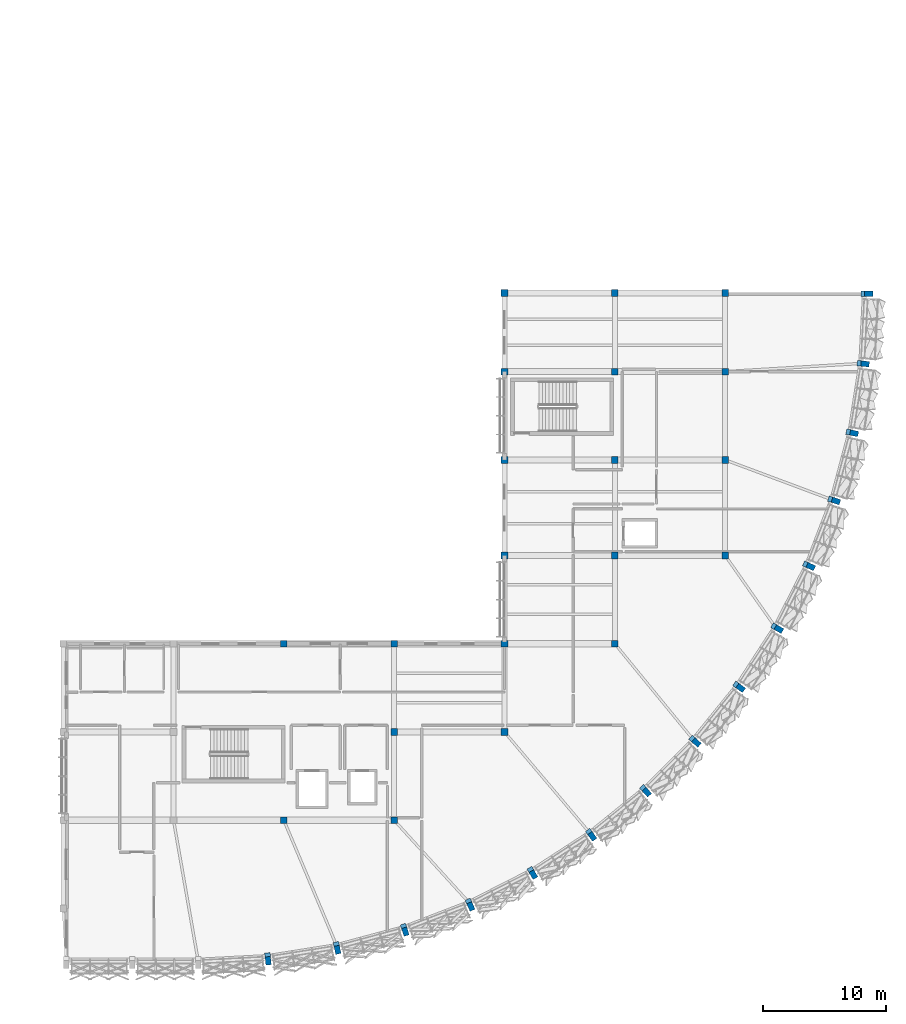
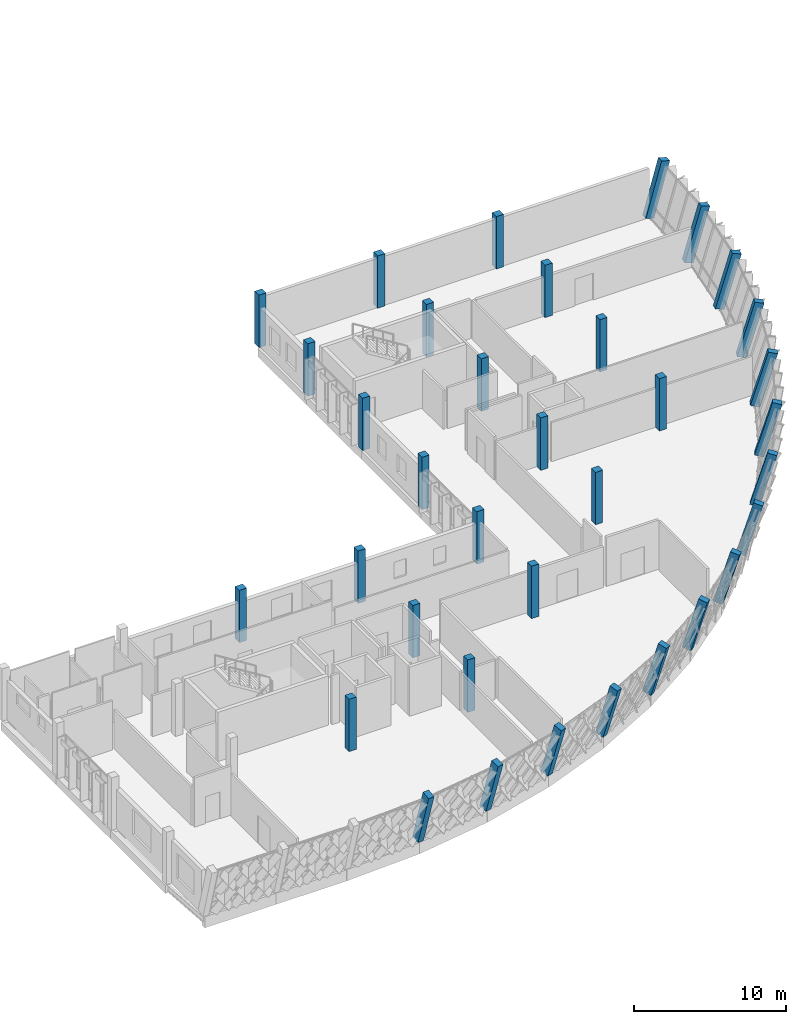
# One storey, part 4 of 94: 35 columns.
"""IFC4 building model written with IfcOpenShell, lengths in metres."""

from ifc_helpers import new_model, si_unit, direction, frame, origin, origin_2d, place, context, subcontext, project, spatial, rectangle, extrude, material, material_profile, profile_set, type_object, element, save


model = new_model("IFC4")

# Units and contexts
model_context = context("Model", 3, precision=1e-05, world=origin(), true_north=direction((0.0, 1.0)))
body_context = subcontext(model_context, "Body", "Model", "MODEL_VIEW")
ifc_project = project(units=[si_unit("LENGTHUNIT", "METRE"), si_unit("AREAUNIT", "SQUARE_METRE"), si_unit("VOLUMEUNIT", "CUBIC_METRE"), si_unit("PLANEANGLEUNIT", "RADIAN"), si_unit("MASSUNIT", "GRAM", prefix="KILO")], contexts=[model_context])

# Site, building, storey
site_placement = place(None, origin())
site = spatial("IfcSite", under=ifc_project, at=site_placement, CompositionType="ELEMENT")
building_placement = place(site_placement, origin())
building = spatial("IfcBuilding", under=site, at=building_placement, Name="Chiffa Square Polytechnic", CompositionType="ELEMENT")
storey_placement = place(building_placement, frame((0.0, 0.0, 18.0)))
storey = spatial("IfcBuildingStorey", under=building, at=storey_placement, Name="L04", CompositionType="ELEMENT", Elevation=18.0)

# Columns
ifc_material_1 = material(Name="Glulam GL32c", Category="wood")
ifc_material_profile_1 = material_profile(ifc_material_1, rectangle(XDim=0.449951171875, YDim=0.64990234375, at=origin_2d()), Name="GL32c 450x650")
ifc_profile_set_1 = profile_set([ifc_material_profile_1], Name="Glulam GL32c")
column_type_1 = type_object("IfcColumnType", Name="COL-RAKED-GL650", PredefinedType="USERDEFINED", material=ifc_profile_set_1)
for number, where, z_axis, x_axis, name in (
    (1, (128.884033203125, 3.27099609375, 0.0), (0.028414203881, -0.270773938952, 0.96222352237), (0.994539172272, 0.104363953628, 0.0), "Outward-leaning glulam column CRK-V1-L04-04"),
    (2, (134.506103515625, 4.160888671875, 0.0), (0.056550787693, -0.266197031285, 0.96225835873), (0.978170864029, 0.207802215494, 0.0), "Outward-leaning glulam column CRK-V1-L04-05"),
):
    element("IfcColumn", number, at=place(storey_placement, frame(where, z_axis=z_axis, x_axis=x_axis)), inside=storey, type_object=column_type_1, Name=name, ObjectType="RAKED COLUMN", PredefinedType="USERDEFINED", context=body_context, shape_type="SweptSolid", body=[
        extrude(rectangle(XDim=0.449951171875, YDim=0.64990234375, at=origin_2d()), origin(), (0.0, 0.0, 1.0), 4.36474609375),
    ])
for number, where, z_axis, x_axis, name in (
    (3, (140.0029296875, 5.634033203125, 0.0), (0.084346573065, -0.258912656974, 0.96221093928), (0.950817981989, 0.30975016566, 0.0), "Outward-leaning glulam column CRK-V1-L04-06"),
    (4, (145.31689453125, 7.674072265625, 0.0), (0.110910429148, -0.248835350115, 0.962174539904), (0.913379267492, 0.407109707223, 0.0), "Outward-leaning glulam column CRK-V1-L04-07"),
    (5, (150.387939453125, 10.258056640625, 0.0), (0.136307345319, -0.235755215641, 0.962205687943), (0.865716753267, 0.500534217725, 0.0), "Outward-leaning glulam column CRK-V1-L04-08"),
):
    element("IfcColumn", number, at=place(storey_placement, frame(where, z_axis=z_axis, x_axis=x_axis)), inside=storey, type_object=column_type_1, Name=name, ObjectType="RAKED COLUMN", PredefinedType="USERDEFINED", context=body_context, shape_type="SweptSolid", body=[
        extrude(rectangle(XDim=0.449951171875, YDim=0.64990234375, at=origin_2d()), origin(), (0.0, 0.0, 1.0), 4.364990234375),
    ])
column_1_placement = place(storey_placement, frame((155.162109375, 13.35791015625, 0.0), z_axis=(0.160138653177, -0.220155689453, 0.962230265664), x_axis=(0.808691658152, 0.588232778783, 0.0)))
element("IfcColumn", 6, at=column_1_placement, inside=storey, type_object=column_type_1, Name="Outward-leaning glulam column CRK-V1-L04-09", ObjectType="RAKED COLUMN", PredefinedType="USERDEFINED", context=body_context, shape_type="SweptSolid", body=[
    extrude(rectangle(XDim=0.449951171875, YDim=0.64990234375, at=origin_2d()), origin(), (0.0, 0.0, 1.0), 4.36474609375),
])
for number, where, z_axis, x_axis, name in (
    (7, (159.5849609375, 16.93994140625, 0.0), (0.18239235814, -0.202303943389, 0.962188205177), (0.742711881488, 0.669611126772, 0.0), "Outward-leaning glulam column CRK-V1-L04-10"),
    (8, (163.610107421875, 20.965087890625, 0.0), (0.202250300158, -0.182394421686, 0.962199091157), (0.669713256977, 0.742619790626, 0.0), "Outward-leaning glulam column CRK-V1-L04-11"),
):
    element("IfcColumn", number, at=place(storey_placement, frame(where, z_axis=z_axis, x_axis=x_axis)), inside=storey, type_object=column_type_1, Name=name, ObjectType="RAKED COLUMN", PredefinedType="USERDEFINED", context=body_context, shape_type="SweptSolid", body=[
        extrude(rectangle(XDim=0.449951171875, YDim=0.64990234375, at=origin_2d()), origin(), (0.0, 0.0, 1.0), 4.364990234375),
    ])
column_2_placement = place(storey_placement, frame((167.19189453125, 25.387939453125, 0.0), z_axis=(0.220208911302, -0.16013668099, 0.962218415322), x_axis=(0.588135053489, 0.808762733351, 0.0)))
element("IfcColumn", 9, at=column_2_placement, inside=storey, type_object=column_type_1, Name="Outward-leaning glulam column CRK-V1-L04-12", ObjectType="RAKED COLUMN", PredefinedType="USERDEFINED", context=body_context, shape_type="SweptSolid", body=[
    extrude(rectangle(XDim=0.449951171875, YDim=0.64990234375, at=origin_2d()), origin(), (0.0, 0.0, 1.0), 4.36474609375),
])
for number, where, z_axis, x_axis, name in (
    (10, (170.2919921875, 30.162109375, 0.0), (0.235753417895, -0.136362237919, 0.962198350664), (0.500688126334, 0.865627749179, 0.0), "Outward-leaning glulam column CRK-V1-L04-13"),
    (11, (172.8759765625, 35.23291015625, 0.0), (0.248784424506, -0.110856728725, 0.962193897206), (0.407014745296, 0.913421587829, 0.0), "Outward-leaning glulam column CRK-V1-L04-14"),
):
    element("IfcColumn", number, at=place(storey_placement, frame(where, z_axis=z_axis, x_axis=x_axis)), inside=storey, type_object=column_type_1, Name=name, ObjectType="RAKED COLUMN", PredefinedType="USERDEFINED", context=body_context, shape_type="SweptSolid", body=[
        extrude(rectangle(XDim=0.449951171875, YDim=0.64990234375, at=origin_2d()), origin(), (0.0, 0.0, 1.0), 4.364990234375),
    ])
for number, where, z_axis, x_axis, name in (
    (12, (174.916015625, 40.547119140625, 0.0), (0.258860472594, -0.084347794441, 0.962224872523), (0.309810671802, 0.950798268634, 0.0), "Outward-leaning glulam column CRK-V1-L04-15"),
    (13, (176.388916015625, 46.0439453125, 0.0), (0.266249001984, -0.056549945589, 0.96224402965), (0.207760444137, 0.978179736987, 0.0), "Outward-leaning glulam column CRK-V1-L04-16"),
    (14, (177.279052734375, 51.666015625, 0.0), (0.270773938952, -0.028414203881, 0.96222352237), (0.104363953628, 0.994539172272, 0.0), "Outward-leaning glulam column CRK-V1-L04-17"),
    (15, (177.576904296875, 57.35009765625, 0.0), (0.272178827903, 0.0, 0.96224668648), (0.0, 1.0, 0.0), "Outward-leaning glulam column CRK-V1-L04-18"),
):
    element("IfcColumn", number, at=place(storey_placement, frame(where, z_axis=z_axis, x_axis=x_axis)), inside=storey, type_object=column_type_1, Name=name, ObjectType="RAKED COLUMN", PredefinedType="USERDEFINED", context=body_context, shape_type="SweptSolid", body=[
        extrude(rectangle(XDim=0.449951171875, YDim=0.64990234375, at=origin_2d()), origin(), (0.0, 0.0, 1.0), 4.36474609375),
    ])
ifc_material_2 = material(Name="Concrete C35/45", Category="concrete")
ifc_material_profile_2 = material_profile(ifc_material_2, rectangle(XDim=0.550048828125, YDim=0.550048828125, at=origin_2d()), Name="RC 550x550")
ifc_profile_set_2 = profile_set([ifc_material_profile_2], Name="Concrete C35/45")
column_type_2 = type_object("IfcColumnType", Name="COL-RC-550", PredefinedType="COLUMN", material=ifc_profile_set_2)
for number, where, z_axis, x_axis, name in (
    (16, (130.199951171875, 14.39990234375, 0.0), (0.0, 0.0, 1.0), (1.0, 0.0, 0.0), "Column C-V1-L04-1302-0144"),
    (17, (130.199951171875, 28.800048828125, 0.0), (0.0, 0.0, 1.0), (1.0, 0.0, 0.0), "Column C-V1-L04-1302-0288"),
    (18, (139.199951171875, 14.39990234375, 0.0), (0.0, 0.0, 1.0), (1.0, 0.0, 0.0), "Column C-V1-L04-1392-0144"),
    (19, (139.199951171875, 21.60009765625, 0.0), (0.0, 0.0, 1.0), (1.0, 0.0, 0.0), "Column C-V1-L04-1392-0216"),
    (20, (139.199951171875, 28.800048828125, 0.0), (0.0, 0.0, 1.0), (1.0, 0.0, 0.0), "Column C-V1-L04-1392-0288"),
    (21, (148.199951171875, 21.60009765625, 0.0), (0.0, 0.0, 1.0), (1.0, 0.0, 0.0), "Column C-V1-L04-1482-0216"),
    (22, (148.199951171875, 28.800048828125, 0.0), (0.0, 0.0, 1.0), (1.0, 0.0, 0.0), "Column C-V1-L04-1482-0288"),
    (23, (148.199951171875, 36.0, 0.0), (0.0, 0.0, 1.0), (1.0, 0.0, 0.0), "Column C-V1-L04-1482-0360"),
    (24, (148.199951171875, 43.800048828125, 0.0), (0.0, 0.0, 1.0), (1.0, 0.0, 0.0), "Column C-V1-L04-1482-0438"),
    (25, (148.199951171875, 51.0, 0.0), (0.0, 0.0, 1.0), (1.0, 0.0, 0.0), "Column C-V1-L04-1482-0510"),
    (26, (148.199951171875, 57.419921875, 0.0), (0.0, 0.0, 1.0), (1.0, 0.0, 0.0), "Column C-V1-L04-1482-0574"),
    (27, (157.199951171875, 28.800048828125, 0.0), (0.0, 0.0, 1.0), (1.0, 0.0, 0.0), "Column C-V1-L04-1572-0288"),
    (28, (157.199951171875, 36.0, 0.0), (0.0, 0.0, 1.0), (1.0, 0.0, 0.0), "Column C-V1-L04-1572-0360"),
    (29, (157.199951171875, 43.800048828125, 0.0), (0.0, 0.0, 1.0), (1.0, 0.0, 0.0), "Column C-V1-L04-1572-0438"),
    (30, (157.199951171875, 51.0, 0.0), (0.0, 0.0, 1.0), (1.0, 0.0, 0.0), "Column C-V1-L04-1572-0510"),
    (31, (157.199951171875, 57.419921875, 0.0), (0.0, 0.0, 1.0), (1.0, 0.0, 0.0), "Column C-V1-L04-1572-0574"),
    (32, (166.199951171875, 36.0, 0.0), (0.0, 0.0, 1.0), (1.0, 0.0, 0.0), "Column C-V1-L04-1662-0360"),
    (33, (166.199951171875, 43.800048828125, 0.0), (0.0, 0.0, 1.0), (1.0, 0.0, 0.0), "Column C-V1-L04-1662-0438"),
    (34, (166.199951171875, 51.0, 0.0), (0.0, 0.0, 1.0), (1.0, 0.0, 0.0), "Column C-V1-L04-1662-0510"),
    (35, (166.199951171875, 57.419921875, 0.0), (0.0, 0.0, 1.0), (1.0, 0.0, 0.0), "Column C-V1-L04-1662-0574"),
):
    element("IfcColumn", number, at=place(storey_placement, frame(where, z_axis=z_axis, x_axis=x_axis)), inside=storey, type_object=column_type_2, Name=name, PredefinedType="COLUMN", context=body_context, shape_type="SweptSolid", body=[
        extrude(rectangle(XDim=0.550048828125, YDim=0.550048828125, at=origin_2d()), origin(), (0.0, 0.0, 1.0), 4.199951171875),
    ])

save(model, "model.ifc")
